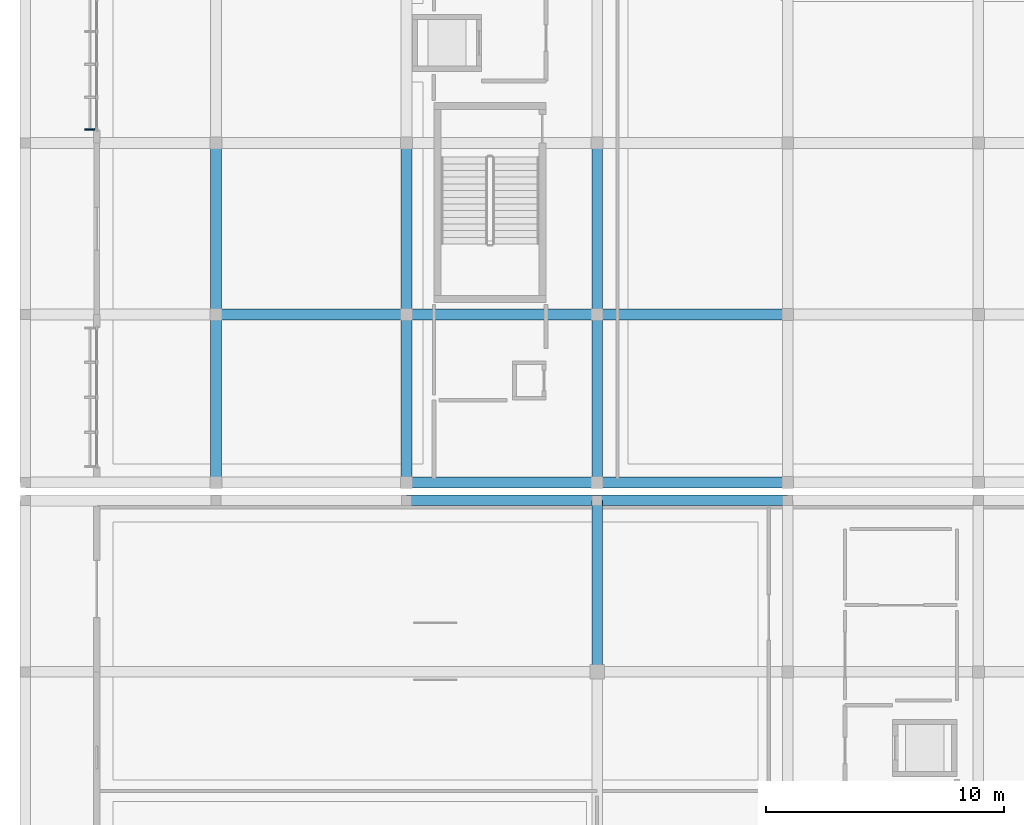
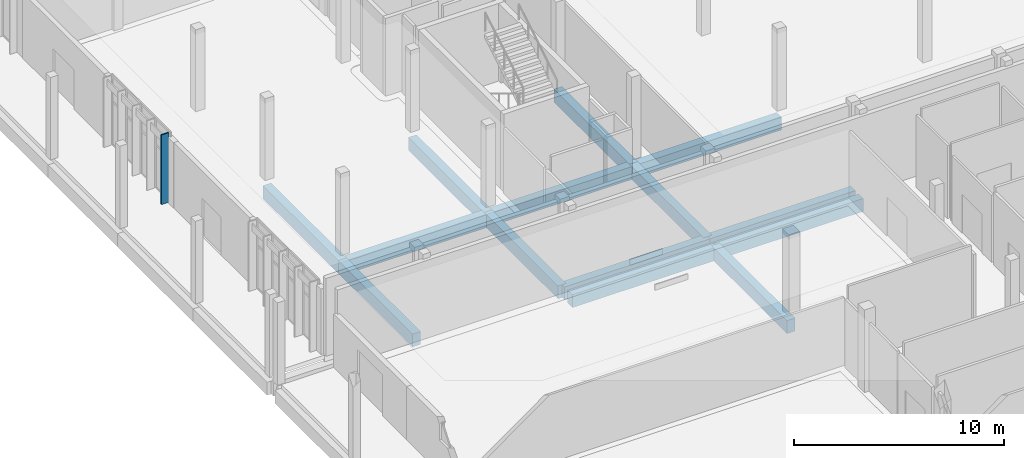
# One storey, part 26 of 151: 14 beams, 1 member, 1 element without a shape of its own.
"""IFC4 building model written with IfcOpenShell, lengths in metres."""

from ifc_helpers import new_model, si_unit, direction, frame, origin, origin_2d, place, context, subcontext, project, spatial, rectangle, extrude, material, material_profile, profile_set, type_object, element, aggregate, save


model = new_model("IFC4")

# Units and contexts
model_context = context("Model", 3, precision=1e-05, world=origin(), true_north=direction((0.0, 1.0)))
body_context = subcontext(model_context, "Body", "Model", "MODEL_VIEW")
ifc_project = project(units=[si_unit("LENGTHUNIT", "METRE"), si_unit("AREAUNIT", "SQUARE_METRE"), si_unit("VOLUMEUNIT", "CUBIC_METRE"), si_unit("PLANEANGLEUNIT", "RADIAN"), si_unit("MASSUNIT", "GRAM", prefix="KILO")], contexts=[model_context])

# Site, building, storey
site_placement = place(None, origin())
site = spatial("IfcSite", under=ifc_project, at=site_placement, CompositionType="ELEMENT")
building_placement = place(site_placement, origin())
building = spatial("IfcBuilding", under=site, at=building_placement, Name="Chiffa Square Polytechnic", CompositionType="ELEMENT")
storey_placement = place(building_placement, origin())
storey = spatial("IfcBuildingStorey", under=building, at=storey_placement, Name="L00", CompositionType="ELEMENT", Elevation=0.0)

# Curtain wall, member
ifc_material_1 = material(Name="Aluminium EN AW-6060 T66 and glulam shading", Category="wood")
curtain_wall_type = type_object("IfcCurtainWallType", Name="CW-VERT-360X380", PredefinedType="USERDEFINED", material=ifc_material_1)
curtain_wall_placement = place(storey_placement, origin())
curtain_wall = element("IfcCurtainWall", 1, at=curtain_wall_placement, inside=storey, type_object=curtain_wall_type, Name="Curtain wall CW-V6-L00-253", ObjectType="CURTAIN WALL", PredefinedType="USERDEFINED")
ifc_material_2 = material(Name="Glulam GL28h", Category="wood")
ifc_material_profile_1 = material_profile(ifc_material_2, rectangle(XDim=0.070068359375, YDim=0.419921875, at=origin_2d()), Name="GL28h 70x420")
ifc_profile_set_1 = profile_set([ifc_material_profile_1], Name="Glulam GL28h")
member_type = type_object("IfcMemberType", Name="CWM-GL-70X420", PredefinedType="MULLION", material=ifc_profile_set_1)
member_placement = place(storey_placement, frame((2.7080078125, 51.56494140625, 0.010009765625), z_axis=(0.0, 0.0, 1.0), x_axis=(0.0, -1.0, 0.0)))
member = element("IfcMember", 2, at=member_placement, type_object=member_type, Name="Exterior glulam solar fin CW-V6-L00-253-FN04", PredefinedType="MULLION", context=body_context, shape_type="SweptSolid", body=[
    extrude(rectangle(XDim=0.070068359375, YDim=0.419921875, at=origin_2d()), origin(), (0.0, 0.0, 1.0), 4.044921875),
])
aggregate(curtain_wall, [member])

# Beams
ifc_material_3 = material(Name="Concrete C35/45", Category="concrete")
ifc_material_profile_2 = material_profile(ifc_material_3, rectangle(XDim=0.449951171875, YDim=0.75, at=origin_2d()), Name="RC 450x750")
ifc_profile_set_2 = profile_set([ifc_material_profile_2], Name="Concrete C35/45")
beam_type = type_object("IfcBeamType", Name="GB-RC-450X750", PredefinedType="BEAM", material=ifc_profile_set_2)
for number, where, z_axis, x_axis, name in (
    (3, (16.0, 36.0, -0.77490234375), (1.0, 0.0, 0.0), (0.0, 1.0, 0.0), "Ground tie beam GB-V3-X-068"),
    (4, (24.0, 36.0, -0.77490234375), (1.0, 0.0, 0.0), (0.0, 1.0, 0.0), "Ground tie beam GB-V3-X-069"),
):
    element("IfcBeam", number, at=place(storey_placement, frame(where, z_axis=z_axis, x_axis=x_axis)), inside=storey, type_object=beam_type, Name=name, PredefinedType="BEAM", context=body_context, shape_type="SweptSolid", body=[
        extrude(rectangle(XDim=0.449951171875, YDim=0.75, at=origin_2d()), origin(), (0.0, 0.0, 1.0), 8.0),
    ])
beam_1_placement = place(storey_placement, frame((24.0, 28.800048828125, -0.77490234375), z_axis=(0.0, 1.0, 0.0), x_axis=(-1.0, 0.0, 0.0)))
element("IfcBeam", 5, at=beam_1_placement, inside=storey, type_object=beam_type, Name="Ground tie beam GB-V3-Y-081", PredefinedType="BEAM", context=body_context, shape_type="SweptSolid", body=[
    extrude(rectangle(XDim=0.449951171875, YDim=0.75, at=origin_2d()), origin(), (0.0, 0.0, 1.0), 7.199951171875),
])
for number, where, z_axis, x_axis, name in (
    (6, (16.0, 36.75, -0.77490234375), (1.0, 0.0, 0.0), (0.0, 1.0, 0.0), "Ground tie beam GB-V6-X-147"),
    (7, (24.0, 36.75, -0.77490234375), (1.0, 0.0, 0.0), (0.0, 1.0, 0.0), "Ground tie beam GB-V6-X-148"),
    (8, (8.0, 43.800048828125, -0.77490234375), (1.0, 0.0, 0.0), (0.0, 1.0, 0.0), "Ground tie beam GB-V6-X-152"),
    (9, (16.0, 43.800048828125, -0.77490234375), (1.0, 0.0, 0.0), (0.0, 1.0, 0.0), "Ground tie beam GB-V6-X-153"),
    (10, (24.0, 43.800048828125, -0.77490234375), (1.0, 0.0, 0.0), (0.0, 1.0, 0.0), "Ground tie beam GB-V6-X-154"),
):
    element("IfcBeam", number, at=place(storey_placement, frame(where, z_axis=z_axis, x_axis=x_axis)), inside=storey, type_object=beam_type, Name=name, PredefinedType="BEAM", context=body_context, shape_type="SweptSolid", body=[
        extrude(rectangle(XDim=0.449951171875, YDim=0.75, at=origin_2d()), origin(), (0.0, 0.0, 1.0), 8.0),
    ])
beam_2_placement = place(storey_placement, frame((8.0, 36.75, -0.77490234375), z_axis=(0.0, 1.0, 0.0), x_axis=(-1.0, 0.0, 0.0)))
element("IfcBeam", 11, at=beam_2_placement, inside=storey, type_object=beam_type, Name="Ground tie beam GB-V6-Y-203", PredefinedType="BEAM", context=body_context, shape_type="SweptSolid", body=[
    extrude(rectangle(XDim=0.449951171875, YDim=0.75, at=origin_2d()), origin(), (0.0, 0.0, 1.0), 7.050048828125),
])
beam_3_placement = place(storey_placement, frame((8.0, 43.800048828125, -0.77490234375), z_axis=(0.0, 1.0, 0.0), x_axis=(-1.0, 0.0, 0.0)))
element("IfcBeam", 12, at=beam_3_placement, inside=storey, type_object=beam_type, Name="Ground tie beam GB-V6-Y-204", PredefinedType="BEAM", context=body_context, shape_type="SweptSolid", body=[
    extrude(rectangle(XDim=0.449951171875, YDim=0.75, at=origin_2d()), origin(), (0.0, 0.0, 1.0), 7.199951171875),
])
beam_4_placement = place(storey_placement, frame((16.0, 36.75, -0.77490234375), z_axis=(0.0, 1.0, 0.0), x_axis=(-1.0, 0.0, 0.0)))
element("IfcBeam", 13, at=beam_4_placement, inside=storey, type_object=beam_type, Name="Ground tie beam GB-V6-Y-211", PredefinedType="BEAM", context=body_context, shape_type="SweptSolid", body=[
    extrude(rectangle(XDim=0.449951171875, YDim=0.75, at=origin_2d()), origin(), (0.0, 0.0, 1.0), 7.050048828125),
])
beam_5_placement = place(storey_placement, frame((16.0, 43.800048828125, -0.77490234375), z_axis=(0.0, 1.0, 0.0), x_axis=(-1.0, 0.0, 0.0)))
element("IfcBeam", 14, at=beam_5_placement, inside=storey, type_object=beam_type, Name="Ground tie beam GB-V6-Y-212", PredefinedType="BEAM", context=body_context, shape_type="SweptSolid", body=[
    extrude(rectangle(XDim=0.449951171875, YDim=0.75, at=origin_2d()), origin(), (0.0, 0.0, 1.0), 7.199951171875),
])
beam_6_placement = place(storey_placement, frame((24.0, 36.75, -0.77490234375), z_axis=(0.0, 1.0, 0.0), x_axis=(-1.0, 0.0, 0.0)))
element("IfcBeam", 15, at=beam_6_placement, inside=storey, type_object=beam_type, Name="Ground tie beam GB-V6-Y-219", PredefinedType="BEAM", context=body_context, shape_type="SweptSolid", body=[
    extrude(rectangle(XDim=0.449951171875, YDim=0.75, at=origin_2d()), origin(), (0.0, 0.0, 1.0), 7.050048828125),
])
beam_7_placement = place(storey_placement, frame((24.0, 43.800048828125, -0.77490234375), z_axis=(0.0, 1.0, 0.0), x_axis=(-1.0, 0.0, 0.0)))
element("IfcBeam", 16, at=beam_7_placement, inside=storey, type_object=beam_type, Name="Ground tie beam GB-V6-Y-220", PredefinedType="BEAM", context=body_context, shape_type="SweptSolid", body=[
    extrude(rectangle(XDim=0.449951171875, YDim=0.75, at=origin_2d()), origin(), (0.0, 0.0, 1.0), 7.199951171875),
])

save(model, "model.ifc")
